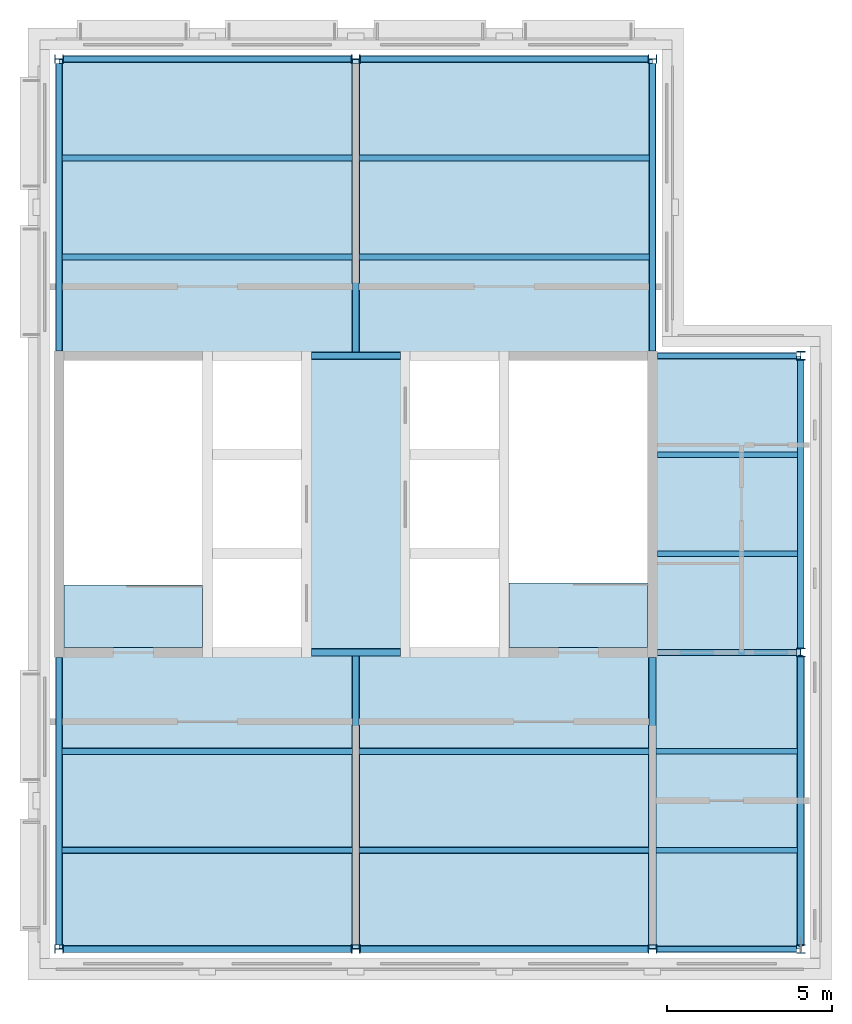
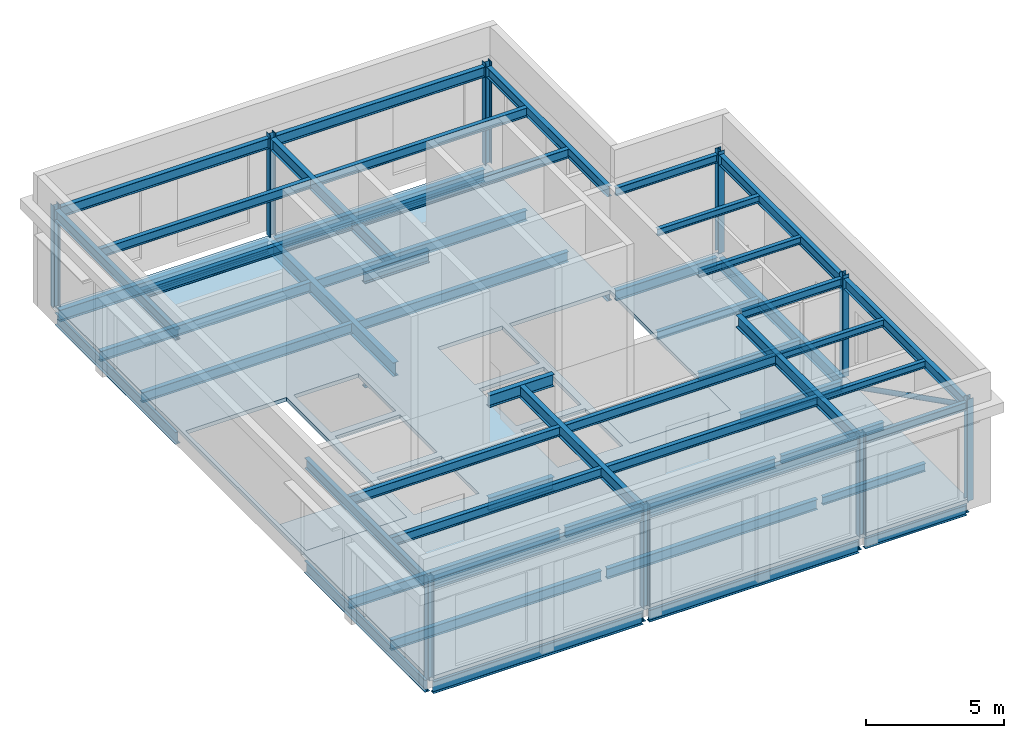
# One storey, part 1 of 4: 58 beams, 9 columns, 3 slabs, 1 member.
"""IFC4 building model written with IfcOpenShell, lengths in metres."""

from ifc_helpers import new_model, si_unit, direction, frame, origin, origin_2d, place, context, subcontext, project, spatial, polyline, hollow_circle, i_section, outline, extrude, material, layer, layer_set, material_profile, profile_set, type_object, element, save


model = new_model("IFC4")

# Units and contexts
model_context = context("Model", 3, precision=1e-05, world=origin(), true_north=direction((0.0, 1.0)))
body_context = subcontext(model_context, "Body", "Model", "MODEL_VIEW")
ifc_project = project(units=[si_unit("LENGTHUNIT", "METRE"), si_unit("AREAUNIT", "SQUARE_METRE"), si_unit("VOLUMEUNIT", "CUBIC_METRE"), si_unit("PLANEANGLEUNIT", "RADIAN"), si_unit("MASSUNIT", "GRAM", prefix="KILO")], contexts=[model_context])

# Site, building, storey
site_placement = place(None, origin())
site = spatial("IfcSite", under=ifc_project, at=site_placement, CompositionType="ELEMENT")
building_placement = place(site_placement, origin())
building = spatial("IfcBuilding", under=site, at=building_placement, Name="Hortulan Conservatory and Botanical Research Centre", CompositionType="ELEMENT")
storey_placement = place(building_placement, frame((0.0, 0.0, 69.89990234375)))
storey = spatial("IfcBuildingStorey", under=building, at=storey_placement, Name="L16", CompositionType="ELEMENT", Elevation=69.89990234375)

# Columns
ifc_material_1 = material(Name="Steel Grade 300PLUS (AS/NZS 3679.1, 280 MPa minimum yield)", Category="steel")
ifc_material_profile_1 = material_profile(ifc_material_1, i_section(OverallWidth=0.256103515625, OverallDepth=0.260009765625, WebThickness=0.010498046875, FlangeThickness=0.017333984375, FilletRadius=0.013916015625, at=origin_2d()), Name="250UC89.5")
ifc_profile_set_1 = profile_set([ifc_material_profile_1], Name="Steel Grade 300PLUS (AS/NZS 3679.1, 280 MPa minimum yield)")
column_type = type_object("IfcColumnType", Name="Tower Column 250UC89.5", PredefinedType="COLUMN", material=ifc_profile_set_1)
for number, where, z_axis, x_axis, name in (
    (1, (9.0, 0.0, 0.0), (0.0, 0.0, 1.0), (0.0, 1.0, 0.0), "250UC89.5 column"),
    (2, (9.0, 27.0, 0.0), (0.0, 0.0, 1.0), (0.0, 1.0, 0.0), "250UC89.5 column"),
    (3, (18.0, 0.0, 0.0), (0.0, 0.0, 1.0), (0.0, 1.0, 0.0), "250UC89.5 column"),
    (4, (18.0, 27.0, 0.0), (0.0, 0.0, 1.0), (0.0, 1.0, 0.0), "250UC89.5 column"),
    (5, (27.0, 0.0, 0.0), (0.0, 0.0, 1.0), (0.0, 1.0, 0.0), "250UC89.5 column"),
    (6, (27.0, 27.0, 0.0), (0.0, 0.0, 1.0), (0.0, 1.0, 0.0), "250UC89.5 column"),
    (7, (31.5, 0.0, 0.0), (0.0, 0.0, 1.0), (1.0, 0.0, 0.0), "250UC89.5 column"),
    (8, (31.5, 9.0, 0.0), (0.0, 0.0, 1.0), (1.0, 0.0, 0.0), "250UC89.5 column"),
    (9, (31.5, 18.0, 0.0), (0.0, 0.0, 1.0), (1.0, 0.0, 0.0), "250UC89.5 column"),
):
    element("IfcColumn", number, at=place(storey_placement, frame(where, z_axis=z_axis, x_axis=x_axis)), inside=storey, type_object=column_type, Name=name, PredefinedType="COLUMN", context=body_context, shape_type="SweptSolid", body=[
        extrude(i_section(OverallWidth=0.256103515625, OverallDepth=0.260009765625, WebThickness=0.010498046875, FlangeThickness=0.017333984375, FilletRadius=0.013916015625, at=origin_2d()), origin(), (0.0, 0.0, 1.0), 4.5),
    ])

# Member
ifc_material_2 = material(Name="Steel Grade C350L0 (350 MPa, AS/NZS 1163)", Category="steel")
ifc_material_profile_2 = material_profile(ifc_material_2, hollow_circle(Radius=0.109619140625, WallThickness=0.00830078125, at=origin_2d()), Name="219.1x8.2CHS")
ifc_profile_set_2 = profile_set([ifc_material_profile_2], Name="Steel Grade C350L0 (350 MPa, AS/NZS 1163)")
member_type = type_object("IfcMemberType", Name="Brace 219.1x8.2CHS", PredefinedType="BRACE", material=ifc_profile_set_2)
member_placement = place(storey_placement, frame((31.5, 8.8701171875, -0.37060546875), z_axis=(0.0, -0.892112787809, 0.451812764127), x_axis=(1.0, 0.0, 0.0)))
element("IfcMember", 10, at=member_placement, inside=storey, type_object=member_type, Name="219.1x8.2CHS brace", PredefinedType="BRACE", context=body_context, shape_type="SweptSolid", body=[
    extrude(hollow_circle(Radius=0.109619140625, WallThickness=0.00830078125, at=origin_2d()), origin(), (0.0, 0.0, 1.0), 9.797119140625),
])

# Beams
ifc_material_profile_3 = material_profile(ifc_material_1, i_section(OverallWidth=0.1708984375, OverallDepth=0.35595703125, WebThickness=0.00732421875, FlangeThickness=0.011474609375, FilletRadius=0.011474609375, at=origin_2d()), Name="360UB50.7")
ifc_profile_set_3 = profile_set([ifc_material_profile_3], Name="Steel Grade 300PLUS (AS/NZS 3679.1, 280 MPa minimum yield)")
beam_type_1 = type_object("IfcBeamType", Name="Primary Beam 360UB50.7", PredefinedType="BEAM", material=ifc_profile_set_3)
beam_1_placement = place(storey_placement, frame((27.1298828125, 0.0, 4.172119140625), z_axis=(1.0, 0.0, 0.0), x_axis=(0.0, 1.0, 0.0)))
element("IfcBeam", 11, at=beam_1_placement, inside=storey, type_object=beam_type_1, Name="360UB50.7 girder", PredefinedType="BEAM", context=body_context, shape_type="SweptSolid", body=[
    extrude(i_section(OverallWidth=0.1708984375, OverallDepth=0.35595703125, WebThickness=0.00732421875, FlangeThickness=0.011474609375, FilletRadius=0.011474609375, at=origin_2d()), origin(), (0.0, 0.0, 1.0), 4.2421875),
])
for number, where, z_axis, x_axis, name in (
    (12, (27.14990234375, 9.0, 4.172119140625), (1.0, 0.0, 0.0), (0.0, 1.0, 0.0), "360UB50.7 girder"),
    (13, (27.14990234375, 18.0, 4.172119140625), (1.0, 0.0, 0.0), (0.0, 1.0, 0.0), "360UB50.7 girder"),
):
    element("IfcBeam", number, at=place(storey_placement, frame(where, z_axis=z_axis, x_axis=x_axis)), inside=storey, type_object=beam_type_1, Name=name, PredefinedType="BEAM", context=body_context, shape_type="SweptSolid", body=[
        extrude(i_section(OverallWidth=0.1708984375, OverallDepth=0.35595703125, WebThickness=0.00732421875, FlangeThickness=0.011474609375, FilletRadius=0.011474609375, at=origin_2d()), origin(), (0.0, 0.0, 1.0), 4.22216796875),
    ])
ifc_material_profile_4 = material_profile(ifc_material_1, i_section(OverallWidth=0.18994140625, OverallDepth=0.45703125, WebThickness=0.009033203125, FlangeThickness=0.014404296875, FilletRadius=0.011474609375, at=origin_2d()), Name="460UB74.6")
ifc_profile_set_4 = profile_set([ifc_material_profile_4], Name="Steel Grade 300PLUS (AS/NZS 3679.1, 280 MPa minimum yield)")
beam_type_2 = type_object("IfcBeamType", Name="Primary Beam 460UB74.6", PredefinedType="BEAM", material=ifc_profile_set_4)
beam_2_placement = place(storey_placement, frame((27.1298828125, 0.0, -0.3984375), z_axis=(1.0, 0.0, 0.0), x_axis=(0.0, 1.0, 0.0)))
element("IfcBeam", 14, at=beam_2_placement, inside=storey, type_object=beam_type_2, Name="460UB74.6 girder", PredefinedType="BEAM", context=body_context, shape_type="SweptSolid", body=[
    extrude(i_section(OverallWidth=0.18994140625, OverallDepth=0.45703125, WebThickness=0.009033203125, FlangeThickness=0.014404296875, FilletRadius=0.011474609375, at=origin_2d()), origin(), (0.0, 0.0, 1.0), 4.2421875),
])
for number, where, z_axis, x_axis, name in (
    (15, (27.14990234375, 9.0, -0.3984375), (1.0, 0.0, 0.0), (0.0, 1.0, 0.0), "460UB74.6 girder"),
    (16, (27.14990234375, 18.0, -0.3984375), (1.0, 0.0, 0.0), (0.0, 1.0, 0.0), "460UB74.6 girder"),
):
    element("IfcBeam", number, at=place(storey_placement, frame(where, z_axis=z_axis, x_axis=x_axis)), inside=storey, type_object=beam_type_2, Name=name, PredefinedType="BEAM", context=body_context, shape_type="SweptSolid", body=[
        extrude(i_section(OverallWidth=0.18994140625, OverallDepth=0.45703125, WebThickness=0.009033203125, FlangeThickness=0.014404296875, FilletRadius=0.011474609375, at=origin_2d()), origin(), (0.0, 0.0, 1.0), 4.22216796875),
    ])
beam_3_placement = place(storey_placement, frame((9.0, 0.1279296875, 4.12158203125), z_axis=(0.0, 1.0, 0.0), x_axis=(-1.0, 0.0, 0.0)))
element("IfcBeam", 17, at=beam_3_placement, inside=storey, type_object=beam_type_2, Name="460UB74.6 girder", PredefinedType="BEAM", context=body_context, shape_type="SweptSolid", body=[
    extrude(i_section(OverallWidth=0.18994140625, OverallDepth=0.45703125, WebThickness=0.009033203125, FlangeThickness=0.014404296875, FilletRadius=0.011474609375, at=origin_2d()), origin(), (0.0, 0.0, 1.0), 8.72216796875),
])
beam_4_placement = place(storey_placement, frame((9.1298828125, 0.0, 4.12158203125), z_axis=(1.0, 0.0, 0.0), x_axis=(0.0, 1.0, 0.0)))
element("IfcBeam", 18, at=beam_4_placement, inside=storey, type_object=beam_type_2, Name="460UB74.6 girder", PredefinedType="BEAM", context=body_context, shape_type="SweptSolid", body=[
    extrude(i_section(OverallWidth=0.18994140625, OverallDepth=0.45703125, WebThickness=0.009033203125, FlangeThickness=0.014404296875, FilletRadius=0.011474609375, at=origin_2d()), origin(), (0.0, 0.0, 1.0), 8.740234375),
])
beam_5_placement = place(storey_placement, frame((9.0, 18.14990234375, 4.12158203125), z_axis=(0.0, 1.0, 0.0), x_axis=(-1.0, 0.0, 0.0)))
element("IfcBeam", 19, at=beam_5_placement, inside=storey, type_object=beam_type_2, Name="460UB74.6 girder", PredefinedType="BEAM", context=body_context, shape_type="SweptSolid", body=[
    extrude(i_section(OverallWidth=0.18994140625, OverallDepth=0.45703125, WebThickness=0.009033203125, FlangeThickness=0.014404296875, FilletRadius=0.011474609375, at=origin_2d()), origin(), (0.0, 0.0, 1.0), 8.72216796875),
])
for number, where, z_axis, x_axis, name in (
    (20, (9.1298828125, 27.0, 4.12158203125), (1.0, 0.0, 0.0), (0.0, 1.0, 0.0), "460UB74.6 girder"),
    (21, (18.1298828125, 0.0, 4.12158203125), (1.0, 0.0, 0.0), (0.0, 1.0, 0.0), "460UB74.6 girder"),
    (22, (18.1298828125, 27.0, 4.12158203125), (1.0, 0.0, 0.0), (0.0, 1.0, 0.0), "460UB74.6 girder"),
):
    element("IfcBeam", number, at=place(storey_placement, frame(where, z_axis=z_axis, x_axis=x_axis)), inside=storey, type_object=beam_type_2, Name=name, PredefinedType="BEAM", context=body_context, shape_type="SweptSolid", body=[
        extrude(i_section(OverallWidth=0.18994140625, OverallDepth=0.45703125, WebThickness=0.009033203125, FlangeThickness=0.014404296875, FilletRadius=0.011474609375, at=origin_2d()), origin(), (0.0, 0.0, 1.0), 8.740234375),
    ])
beam_6_placement = place(storey_placement, frame((27.0, 18.14990234375, 4.12158203125), z_axis=(0.0, 1.0, 0.0), x_axis=(-1.0, 0.0, 0.0)))
element("IfcBeam", 23, at=beam_6_placement, inside=storey, type_object=beam_type_2, Name="460UB74.6 girder", PredefinedType="BEAM", context=body_context, shape_type="SweptSolid", body=[
    extrude(i_section(OverallWidth=0.18994140625, OverallDepth=0.45703125, WebThickness=0.009033203125, FlangeThickness=0.014404296875, FilletRadius=0.011474609375, at=origin_2d()), origin(), (0.0, 0.0, 1.0), 8.72216796875),
])
for number, where, z_axis, x_axis, name in (
    (24, (31.5, 0.1298828125, 4.12158203125), (0.0, 1.0, 0.0), (-1.0, 0.0, 0.0), "460UB74.6 girder"),
    (25, (31.5, 9.1298828125, 4.12158203125), (0.0, 1.0, 0.0), (-1.0, 0.0, 0.0), "460UB74.6 girder"),
):
    element("IfcBeam", number, at=place(storey_placement, frame(where, z_axis=z_axis, x_axis=x_axis)), inside=storey, type_object=beam_type_2, Name=name, PredefinedType="BEAM", context=body_context, shape_type="SweptSolid", body=[
        extrude(i_section(OverallWidth=0.18994140625, OverallDepth=0.45703125, WebThickness=0.009033203125, FlangeThickness=0.014404296875, FilletRadius=0.011474609375, at=origin_2d()), origin(), (0.0, 0.0, 1.0), 8.740234375),
    ])
ifc_material_profile_5 = material_profile(ifc_material_1, i_section(OverallWidth=0.208984375, OverallDepth=0.528076171875, WebThickness=0.009521484375, FlangeThickness=0.01318359375, FilletRadius=0.013916015625, at=origin_2d()), Name="530UB82.0")
ifc_profile_set_5 = profile_set([ifc_material_profile_5], Name="Steel Grade 300PLUS (AS/NZS 3679.1, 280 MPa minimum yield)")
beam_type_3 = type_object("IfcBeamType", Name="Primary Beam 530UB82.0", PredefinedType="BEAM", material=ifc_profile_set_5)
for number, where, z_axis, x_axis, name in (
    (26, (16.64990234375, 9.0, 4.086181640625), (1.0, 0.0, 0.0), (0.0, 1.0, 0.0), "530UB82.0 girder"),
    (27, (16.64990234375, 18.0, 4.086181640625), (1.0, 0.0, 0.0), (0.0, 1.0, 0.0), "530UB82.0 girder"),
):
    element("IfcBeam", number, at=place(storey_placement, frame(where, z_axis=z_axis, x_axis=x_axis)), inside=storey, type_object=beam_type_3, Name=name, PredefinedType="BEAM", context=body_context, shape_type="SweptSolid", body=[
        extrude(i_section(OverallWidth=0.208984375, OverallDepth=0.528076171875, WebThickness=0.009521484375, FlangeThickness=0.01318359375, FilletRadius=0.013916015625, at=origin_2d()), origin(), (0.0, 0.0, 1.0), 2.7001953125),
    ])
for number, where, z_axis, x_axis, name in (
    (28, (18.0, 0.1279296875, 4.086181640625), (0.0, 1.0, 0.0), (-1.0, 0.0, 0.0), "530UB82.0 girder"),
    (29, (18.0, 18.0, 4.086181640625), (0.0, 1.0, 0.0), (-1.0, 0.0, 0.0), "530UB82.0 girder"),
):
    element("IfcBeam", number, at=place(storey_placement, frame(where, z_axis=z_axis, x_axis=x_axis)), inside=storey, type_object=beam_type_3, Name=name, PredefinedType="BEAM", context=body_context, shape_type="SweptSolid", body=[
        extrude(i_section(OverallWidth=0.208984375, OverallDepth=0.528076171875, WebThickness=0.009521484375, FlangeThickness=0.01318359375, FilletRadius=0.013916015625, at=origin_2d()), origin(), (0.0, 0.0, 1.0), 8.8720703125),
    ])
beam_7_placement = place(storey_placement, frame((27.0, 0.1279296875, 4.086181640625), z_axis=(0.0, 1.0, 0.0), x_axis=(-1.0, 0.0, 0.0)))
element("IfcBeam", 30, at=beam_7_placement, inside=storey, type_object=beam_type_3, Name="530UB82.0 girder", PredefinedType="BEAM", context=body_context, shape_type="SweptSolid", body=[
    extrude(i_section(OverallWidth=0.208984375, OverallDepth=0.528076171875, WebThickness=0.009521484375, FlangeThickness=0.01318359375, FilletRadius=0.013916015625, at=origin_2d()), origin(), (0.0, 0.0, 1.0), 8.72216796875),
])
ifc_material_profile_6 = material_profile(ifc_material_1, i_section(OverallWidth=0.208984375, OverallDepth=0.532958984375, WebThickness=0.01025390625, FlangeThickness=0.015625, FilletRadius=0.013916015625, at=origin_2d()), Name="530UB92.4")
ifc_profile_set_6 = profile_set([ifc_material_profile_6], Name="Steel Grade 300PLUS (AS/NZS 3679.1, 280 MPa minimum yield)")
beam_type_4 = type_object("IfcBeamType", Name="Primary Beam 530UB92.4", PredefinedType="BEAM", material=ifc_profile_set_6)
beam_8_placement = place(storey_placement, frame((9.0, 0.1279296875, -0.4365234375), z_axis=(0.0, 1.0, 0.0), x_axis=(-1.0, 0.0, 0.0)))
element("IfcBeam", 31, at=beam_8_placement, inside=storey, type_object=beam_type_4, Name="530UB92.4 girder", PredefinedType="BEAM", context=body_context, shape_type="SweptSolid", body=[
    extrude(i_section(OverallWidth=0.208984375, OverallDepth=0.532958984375, WebThickness=0.01025390625, FlangeThickness=0.015625, FilletRadius=0.013916015625, at=origin_2d()), origin(), (0.0, 0.0, 1.0), 8.72216796875),
])
beam_9_placement = place(storey_placement, frame((9.1298828125, 0.0, -0.4365234375), z_axis=(1.0, 0.0, 0.0), x_axis=(0.0, 1.0, 0.0)))
element("IfcBeam", 32, at=beam_9_placement, inside=storey, type_object=beam_type_4, Name="530UB92.4 girder", PredefinedType="BEAM", context=body_context, shape_type="SweptSolid", body=[
    extrude(i_section(OverallWidth=0.208984375, OverallDepth=0.532958984375, WebThickness=0.01025390625, FlangeThickness=0.015625, FilletRadius=0.013916015625, at=origin_2d()), origin(), (0.0, 0.0, 1.0), 8.740234375),
])
beam_10_placement = place(storey_placement, frame((9.0, 18.14990234375, -0.4365234375), z_axis=(0.0, 1.0, 0.0), x_axis=(-1.0, 0.0, 0.0)))
element("IfcBeam", 33, at=beam_10_placement, inside=storey, type_object=beam_type_4, Name="530UB92.4 girder", PredefinedType="BEAM", context=body_context, shape_type="SweptSolid", body=[
    extrude(i_section(OverallWidth=0.208984375, OverallDepth=0.532958984375, WebThickness=0.01025390625, FlangeThickness=0.015625, FilletRadius=0.013916015625, at=origin_2d()), origin(), (0.0, 0.0, 1.0), 8.72216796875),
])
for number, where, z_axis, x_axis, name in (
    (34, (9.1298828125, 27.0, -0.4365234375), (1.0, 0.0, 0.0), (0.0, 1.0, 0.0), "530UB92.4 girder"),
    (35, (18.1298828125, 0.0, -0.4365234375), (1.0, 0.0, 0.0), (0.0, 1.0, 0.0), "530UB92.4 girder"),
    (36, (18.1298828125, 27.0, -0.4365234375), (1.0, 0.0, 0.0), (0.0, 1.0, 0.0), "530UB92.4 girder"),
):
    element("IfcBeam", number, at=place(storey_placement, frame(where, z_axis=z_axis, x_axis=x_axis)), inside=storey, type_object=beam_type_4, Name=name, PredefinedType="BEAM", context=body_context, shape_type="SweptSolid", body=[
        extrude(i_section(OverallWidth=0.208984375, OverallDepth=0.532958984375, WebThickness=0.01025390625, FlangeThickness=0.015625, FilletRadius=0.013916015625, at=origin_2d()), origin(), (0.0, 0.0, 1.0), 8.740234375),
    ])
beam_11_placement = place(storey_placement, frame((27.0, 18.14990234375, -0.4365234375), z_axis=(0.0, 1.0, 0.0), x_axis=(-1.0, 0.0, 0.0)))
element("IfcBeam", 37, at=beam_11_placement, inside=storey, type_object=beam_type_4, Name="530UB92.4 girder", PredefinedType="BEAM", context=body_context, shape_type="SweptSolid", body=[
    extrude(i_section(OverallWidth=0.208984375, OverallDepth=0.532958984375, WebThickness=0.01025390625, FlangeThickness=0.015625, FilletRadius=0.013916015625, at=origin_2d()), origin(), (0.0, 0.0, 1.0), 8.72216796875),
])
for number, where, z_axis, x_axis, name in (
    (38, (31.5, 0.1298828125, -0.4365234375), (0.0, 1.0, 0.0), (-1.0, 0.0, 0.0), "530UB92.4 girder"),
    (39, (31.5, 9.1298828125, -0.4365234375), (0.0, 1.0, 0.0), (-1.0, 0.0, 0.0), "530UB92.4 girder"),
):
    element("IfcBeam", number, at=place(storey_placement, frame(where, z_axis=z_axis, x_axis=x_axis)), inside=storey, type_object=beam_type_4, Name=name, PredefinedType="BEAM", context=body_context, shape_type="SweptSolid", body=[
        extrude(i_section(OverallWidth=0.208984375, OverallDepth=0.532958984375, WebThickness=0.01025390625, FlangeThickness=0.015625, FilletRadius=0.013916015625, at=origin_2d()), origin(), (0.0, 0.0, 1.0), 8.740234375),
    ])
ifc_material_profile_7 = material_profile(ifc_material_1, i_section(OverallWidth=0.22802734375, OverallDepth=0.60693359375, WebThickness=0.01123046875, FlangeThickness=0.017333984375, FilletRadius=0.013916015625, at=origin_2d()), Name="610UB113")
ifc_profile_set_7 = profile_set([ifc_material_profile_7], Name="Steel Grade 300PLUS (AS/NZS 3679.1, 280 MPa minimum yield)")
beam_type_5 = type_object("IfcBeamType", Name="Primary Beam 610UB113", PredefinedType="BEAM", material=ifc_profile_set_7)
for number, where, z_axis, x_axis, name in (
    (40, (16.64990234375, 9.0, -0.473388671875), (1.0, 0.0, 0.0), (0.0, 1.0, 0.0), "610UB113 girder"),
    (41, (16.64990234375, 18.0, -0.473388671875), (1.0, 0.0, 0.0), (0.0, 1.0, 0.0), "610UB113 girder"),
):
    element("IfcBeam", number, at=place(storey_placement, frame(where, z_axis=z_axis, x_axis=x_axis)), inside=storey, type_object=beam_type_5, Name=name, PredefinedType="BEAM", context=body_context, shape_type="SweptSolid", body=[
        extrude(i_section(OverallWidth=0.22802734375, OverallDepth=0.60693359375, WebThickness=0.01123046875, FlangeThickness=0.017333984375, FilletRadius=0.013916015625, at=origin_2d()), origin(), (0.0, 0.0, 1.0), 2.7001953125),
    ])
for number, where, z_axis, x_axis, name in (
    (42, (18.0, 0.1279296875, -0.473388671875), (0.0, 1.0, 0.0), (-1.0, 0.0, 0.0), "610UB113 girder"),
    (43, (18.0, 18.0, -0.473388671875), (0.0, 1.0, 0.0), (-1.0, 0.0, 0.0), "610UB113 girder"),
):
    element("IfcBeam", number, at=place(storey_placement, frame(where, z_axis=z_axis, x_axis=x_axis)), inside=storey, type_object=beam_type_5, Name=name, PredefinedType="BEAM", context=body_context, shape_type="SweptSolid", body=[
        extrude(i_section(OverallWidth=0.22802734375, OverallDepth=0.60693359375, WebThickness=0.01123046875, FlangeThickness=0.017333984375, FilletRadius=0.013916015625, at=origin_2d()), origin(), (0.0, 0.0, 1.0), 8.8720703125),
    ])
beam_12_placement = place(storey_placement, frame((27.0, 0.1279296875, -0.473388671875), z_axis=(0.0, 1.0, 0.0), x_axis=(-1.0, 0.0, 0.0)))
element("IfcBeam", 44, at=beam_12_placement, inside=storey, type_object=beam_type_5, Name="610UB113 girder", PredefinedType="BEAM", context=body_context, shape_type="SweptSolid", body=[
    extrude(i_section(OverallWidth=0.22802734375, OverallDepth=0.60693359375, WebThickness=0.01123046875, FlangeThickness=0.017333984375, FilletRadius=0.013916015625, at=origin_2d()), origin(), (0.0, 0.0, 1.0), 8.72216796875),
])
ifc_material_profile_8 = material_profile(ifc_material_1, i_section(OverallWidth=0.1650390625, OverallDepth=0.303955078125, WebThickness=0.006103515625, FlangeThickness=0.01025390625, FilletRadius=0.011474609375, at=origin_2d()), Name="310UB40.4")
ifc_profile_set_8 = profile_set([ifc_material_profile_8], Name="Steel Grade 300PLUS (AS/NZS 3679.1, 280 MPa minimum yield)")
beam_type_6 = type_object("IfcBeamType", Name="Secondary Beam 310UB40.4", PredefinedType="JOIST", material=ifc_profile_set_8)
for number, where, z_axis, x_axis, name in (
    (45, (27.1044921875, 3.0, 4.197998046875), (1.0, 0.0, 0.0), (0.0, 1.0, 0.0), "310UB40.4 secondary beam"),
    (46, (27.1044921875, 6.0, 4.197998046875), (1.0, 0.0, 0.0), (0.0, 1.0, 0.0), "310UB40.4 secondary beam"),
):
    element("IfcBeam", number, at=place(storey_placement, frame(where, z_axis=z_axis, x_axis=x_axis)), inside=storey, type_object=beam_type_6, Name=name, PredefinedType="JOIST", context=body_context, shape_type="SweptSolid", body=[
        extrude(i_section(OverallWidth=0.1650390625, OverallDepth=0.303955078125, WebThickness=0.006103515625, FlangeThickness=0.01025390625, FilletRadius=0.011474609375, at=origin_2d()), origin(), (0.0, 0.0, 1.0), 4.300537109375),
    ])
for number, where, z_axis, x_axis, name in (
    (47, (27.14990234375, 12.0, 4.197998046875), (1.0, 0.0, 0.0), (0.0, 1.0, 0.0), "310UB40.4 secondary beam"),
    (48, (27.14990234375, 15.0, 4.197998046875), (1.0, 0.0, 0.0), (0.0, 1.0, 0.0), "310UB40.4 secondary beam"),
):
    element("IfcBeam", number, at=place(storey_placement, frame(where, z_axis=z_axis, x_axis=x_axis)), inside=storey, type_object=beam_type_6, Name=name, PredefinedType="JOIST", context=body_context, shape_type="SweptSolid", body=[
        extrude(i_section(OverallWidth=0.1650390625, OverallDepth=0.303955078125, WebThickness=0.006103515625, FlangeThickness=0.01025390625, FilletRadius=0.011474609375, at=origin_2d()), origin(), (0.0, 0.0, 1.0), 4.255126953125),
    ])
ifc_material_profile_9 = material_profile(ifc_material_1, i_section(OverallWidth=0.1708984375, OverallDepth=0.35205078125, WebThickness=0.0068359375, FlangeThickness=0.009765625, FilletRadius=0.011474609375, at=origin_2d()), Name="360UB44.7")
ifc_profile_set_9 = profile_set([ifc_material_profile_9], Name="Steel Grade 300PLUS (AS/NZS 3679.1, 280 MPa minimum yield)")
beam_type_7 = type_object("IfcBeamType", Name="Secondary Beam 360UB44.7", PredefinedType="JOIST", material=ifc_profile_set_9)
for number, where, z_axis, x_axis, name in (
    (49, (27.114013671875, 3.0, -0.345947265625), (1.0, 0.0, 0.0), (0.0, 1.0, 0.0), "360UB44.7 secondary beam"),
    (50, (27.114013671875, 6.0, -0.345947265625), (1.0, 0.0, 0.0), (0.0, 1.0, 0.0), "360UB44.7 secondary beam"),
):
    element("IfcBeam", number, at=place(storey_placement, frame(where, z_axis=z_axis, x_axis=x_axis)), inside=storey, type_object=beam_type_7, Name=name, PredefinedType="JOIST", context=body_context, shape_type="SweptSolid", body=[
        extrude(i_section(OverallWidth=0.1708984375, OverallDepth=0.35205078125, WebThickness=0.0068359375, FlangeThickness=0.009765625, FilletRadius=0.011474609375, at=origin_2d()), origin(), (0.0, 0.0, 1.0), 4.281494140625),
    ])
for number, where, z_axis, x_axis, name in (
    (51, (27.14990234375, 12.0, -0.345947265625), (1.0, 0.0, 0.0), (0.0, 1.0, 0.0), "360UB44.7 secondary beam"),
    (52, (27.14990234375, 15.0, -0.345947265625), (1.0, 0.0, 0.0), (0.0, 1.0, 0.0), "360UB44.7 secondary beam"),
):
    element("IfcBeam", number, at=place(storey_placement, frame(where, z_axis=z_axis, x_axis=x_axis)), inside=storey, type_object=beam_type_7, Name=name, PredefinedType="JOIST", context=body_context, shape_type="SweptSolid", body=[
        extrude(i_section(OverallWidth=0.1708984375, OverallDepth=0.35205078125, WebThickness=0.0068359375, FlangeThickness=0.009765625, FilletRadius=0.011474609375, at=origin_2d()), origin(), (0.0, 0.0, 1.0), 4.24560546875),
    ])
ifc_material_profile_10 = material_profile(ifc_material_1, i_section(OverallWidth=0.177978515625, OverallDepth=0.403076171875, WebThickness=0.007568359375, FlangeThickness=0.010986328125, FilletRadius=0.011474609375, at=origin_2d()), Name="410UB53.7")
ifc_profile_set_10 = profile_set([ifc_material_profile_10], Name="Steel Grade 300PLUS (AS/NZS 3679.1, 280 MPa minimum yield)")
beam_type_8 = type_object("IfcBeamType", Name="Secondary Beam 410UB53.7", PredefinedType="JOIST", material=ifc_profile_set_10)
for number, where, z_axis, x_axis, name in (
    (53, (9.094970703125, 3.0, 4.148681640625), (1.0, 0.0, 0.0), (0.0, 1.0, 0.0), "410UB53.7 secondary beam"),
    (54, (9.094970703125, 6.0, 4.148681640625), (1.0, 0.0, 0.0), (0.0, 1.0, 0.0), "410UB53.7 secondary beam"),
    (55, (9.094970703125, 21.0, 4.148681640625), (1.0, 0.0, 0.0), (0.0, 1.0, 0.0), "410UB53.7 secondary beam"),
    (56, (9.094970703125, 24.0, 4.148681640625), (1.0, 0.0, 0.0), (0.0, 1.0, 0.0), "410UB53.7 secondary beam"),
):
    element("IfcBeam", number, at=place(storey_placement, frame(where, z_axis=z_axis, x_axis=x_axis)), inside=storey, type_object=beam_type_8, Name=name, PredefinedType="JOIST", context=body_context, shape_type="SweptSolid", body=[
        extrude(i_section(OverallWidth=0.177978515625, OverallDepth=0.403076171875, WebThickness=0.007568359375, FlangeThickness=0.010986328125, FilletRadius=0.011474609375, at=origin_2d()), origin(), (0.0, 0.0, 1.0), 8.800537109375),
    ])
for number, where, z_axis, x_axis, name in (
    (57, (18.1044921875, 3.0, 4.148681640625), (1.0, 0.0, 0.0), (0.0, 1.0, 0.0), "410UB53.7 secondary beam"),
    (58, (18.1044921875, 6.0, 4.148681640625), (1.0, 0.0, 0.0), (0.0, 1.0, 0.0), "410UB53.7 secondary beam"),
):
    element("IfcBeam", number, at=place(storey_placement, frame(where, z_axis=z_axis, x_axis=x_axis)), inside=storey, type_object=beam_type_8, Name=name, PredefinedType="JOIST", context=body_context, shape_type="SweptSolid", body=[
        extrude(i_section(OverallWidth=0.177978515625, OverallDepth=0.403076171875, WebThickness=0.007568359375, FlangeThickness=0.010986328125, FilletRadius=0.011474609375, at=origin_2d()), origin(), (0.0, 0.0, 1.0), 8.791015625),
    ])
for number, where, z_axis, x_axis, name in (
    (59, (18.1044921875, 21.0, 4.148681640625), (1.0, 0.0, 0.0), (0.0, 1.0, 0.0), "410UB53.7 secondary beam"),
    (60, (18.1044921875, 24.0, 4.148681640625), (1.0, 0.0, 0.0), (0.0, 1.0, 0.0), "410UB53.7 secondary beam"),
):
    element("IfcBeam", number, at=place(storey_placement, frame(where, z_axis=z_axis, x_axis=x_axis)), inside=storey, type_object=beam_type_8, Name=name, PredefinedType="JOIST", context=body_context, shape_type="SweptSolid", body=[
        extrude(i_section(OverallWidth=0.177978515625, OverallDepth=0.403076171875, WebThickness=0.007568359375, FlangeThickness=0.010986328125, FilletRadius=0.011474609375, at=origin_2d()), origin(), (0.0, 0.0, 1.0), 8.800537109375),
    ])
ifc_material_profile_11 = material_profile(ifc_material_1, i_section(OverallWidth=0.18994140625, OverallDepth=0.4541015625, WebThickness=0.008544921875, FlangeThickness=0.0126953125, FilletRadius=0.011474609375, at=origin_2d()), Name="460UB67.1")
ifc_profile_set_11 = profile_set([ifc_material_profile_11], Name="Steel Grade 300PLUS (AS/NZS 3679.1, 280 MPa minimum yield)")
beam_type_9 = type_object("IfcBeamType", Name="Secondary Beam 460UB67.1", PredefinedType="JOIST", material=ifc_profile_set_11)
for number, where, z_axis, x_axis, name in (
    (61, (9.1044921875, 3.0, -0.39697265625), (1.0, 0.0, 0.0), (0.0, 1.0, 0.0), "460UB67.1 secondary beam"),
    (62, (9.1044921875, 6.0, -0.39697265625), (1.0, 0.0, 0.0), (0.0, 1.0, 0.0), "460UB67.1 secondary beam"),
    (63, (9.1044921875, 21.0, -0.39697265625), (1.0, 0.0, 0.0), (0.0, 1.0, 0.0), "460UB67.1 secondary beam"),
    (64, (9.1044921875, 24.0, -0.39697265625), (1.0, 0.0, 0.0), (0.0, 1.0, 0.0), "460UB67.1 secondary beam"),
):
    element("IfcBeam", number, at=place(storey_placement, frame(where, z_axis=z_axis, x_axis=x_axis)), inside=storey, type_object=beam_type_9, Name=name, PredefinedType="JOIST", context=body_context, shape_type="SweptSolid", body=[
        extrude(i_section(OverallWidth=0.18994140625, OverallDepth=0.4541015625, WebThickness=0.008544921875, FlangeThickness=0.0126953125, FilletRadius=0.011474609375, at=origin_2d()), origin(), (0.0, 0.0, 1.0), 8.781494140625),
    ])
for number, where, z_axis, x_axis, name in (
    (65, (18.114013671875, 3.0, -0.39697265625), (1.0, 0.0, 0.0), (0.0, 1.0, 0.0), "460UB67.1 secondary beam"),
    (66, (18.114013671875, 6.0, -0.39697265625), (1.0, 0.0, 0.0), (0.0, 1.0, 0.0), "460UB67.1 secondary beam"),
):
    element("IfcBeam", number, at=place(storey_placement, frame(where, z_axis=z_axis, x_axis=x_axis)), inside=storey, type_object=beam_type_9, Name=name, PredefinedType="JOIST", context=body_context, shape_type="SweptSolid", body=[
        extrude(i_section(OverallWidth=0.18994140625, OverallDepth=0.4541015625, WebThickness=0.008544921875, FlangeThickness=0.0126953125, FilletRadius=0.011474609375, at=origin_2d()), origin(), (0.0, 0.0, 1.0), 8.77197265625),
    ])
for number, where, z_axis, x_axis, name in (
    (67, (18.114013671875, 21.0, -0.39697265625), (1.0, 0.0, 0.0), (0.0, 1.0, 0.0), "460UB67.1 secondary beam"),
    (68, (18.114013671875, 24.0, -0.39697265625), (1.0, 0.0, 0.0), (0.0, 1.0, 0.0), "460UB67.1 secondary beam"),
):
    element("IfcBeam", number, at=place(storey_placement, frame(where, z_axis=z_axis, x_axis=x_axis)), inside=storey, type_object=beam_type_9, Name=name, PredefinedType="JOIST", context=body_context, shape_type="SweptSolid", body=[
        extrude(i_section(OverallWidth=0.18994140625, OverallDepth=0.4541015625, WebThickness=0.008544921875, FlangeThickness=0.0126953125, FilletRadius=0.011474609375, at=origin_2d()), origin(), (0.0, 0.0, 1.0), 8.781494140625),
    ])

# Slabs
ifc_material_3 = material(Name="Concrete N40 (40 MPa, AS 3600)", Category="concrete")
ifc_layer_1 = layer(ifc_material_3, 0.169921875)
ifc_layer_set_1 = layer_set([ifc_layer_1], Name="Composite Floor Slab 170")
slab_type_1 = type_object("IfcSlabType", Name="Composite Floor Slab 170", PredefinedType="FLOOR", material=ifc_layer_set_1)
slab_1_placement = place(storey_placement, frame((0.0, 0.0, -0.169921875)))
element("IfcSlab", 69, at=slab_1_placement, inside=storey, type_object=slab_type_1, Name="Floor slab", PredefinedType="FLOOR", context=body_context, shape_type="SweptSolid", body=[
    extrude(outline(polyline([(9.0, 0.0), (31.5, 0.0), (31.5, 18.0), (27.0, 18.0), (27.0, 27.0), (9.0, 27.0), (9.0, 0.0)]), holes=[polyline([(13.64990234375, 11.85009765625), (13.64990234375, 9.14990234375), (16.35009765625, 9.14990234375), (16.35009765625, 11.85009765625), (13.64990234375, 11.85009765625)]), polyline([(19.64990234375, 11.85009765625), (19.64990234375, 9.14990234375), (22.35009765625, 9.14990234375), (22.35009765625, 11.85009765625), (19.64990234375, 11.85009765625)]), polyline([(9.14990234375, 17.85009765625), (9.14990234375, 9.14990234375), (13.35009765625, 9.14990234375), (13.35009765625, 17.85009765625), (9.14990234375, 17.85009765625)]), polyline([(13.64990234375, 14.85009765625), (13.64990234375, 12.14990234375), (16.35009765625, 12.14990234375), (16.35009765625, 14.85009765625), (13.64990234375, 14.85009765625)]), polyline([(19.64990234375, 14.85009765625), (19.64990234375, 12.14990234375), (22.35009765625, 12.14990234375), (22.35009765625, 14.85009765625), (19.64990234375, 14.85009765625)]), polyline([(22.64990234375, 17.85009765625), (22.64990234375, 9.14990234375), (26.85009765625, 9.14990234375), (26.85009765625, 17.85009765625), (22.64990234375, 17.85009765625)]), polyline([(13.64990234375, 17.85009765625), (13.64990234375, 15.14990234375), (16.35009765625, 15.14990234375), (16.35009765625, 17.85009765625), (13.64990234375, 17.85009765625)]), polyline([(19.64990234375, 17.85009765625), (19.64990234375, 15.14990234375), (22.35009765625, 15.14990234375), (22.35009765625, 17.85009765625), (19.64990234375, 17.85009765625)])]), origin(), (0.0, 0.0, 1.0), 0.169921875),
])
ifc_layer_2 = layer(ifc_material_3, 0.199951171875)
ifc_layer_set_2 = layer_set([ifc_layer_2], Name="Stair Landing 200")
slab_type_2 = type_object("IfcSlabType", Name="Stair Landing 200", PredefinedType="LANDING", material=ifc_layer_set_2)
slab_2_placement = place(storey_placement, frame((0.0, 0.0, -0.199951171875)))
element("IfcSlab", 70, at=slab_2_placement, inside=storey, type_object=slab_type_2, Name="Stair T1 floor landing L16", PredefinedType="LANDING", context=body_context, shape_type="SweptSolid", body=[
    extrude(outline(polyline([(13.35009765625, 9.14990234375), (9.14990234375, 9.14990234375), (9.14990234375, 11.050048828125), (13.35009765625, 11.050048828125), (13.35009765625, 9.14990234375)])), origin(), (0.0, 0.0, 1.0), 0.199951171875),
])
slab_3_placement = place(storey_placement, frame((0.0, 0.0, -0.199951171875)))
element("IfcSlab", 71, at=slab_3_placement, inside=storey, type_object=slab_type_2, Name="Stair T2 floor landing L16", PredefinedType="LANDING", context=body_context, shape_type="SweptSolid", body=[
    extrude(outline(polyline([(26.85009765625, 9.14990234375), (22.64990234375, 9.14990234375), (22.64990234375, 11.10009765625), (26.85009765625, 11.10009765625), (26.85009765625, 9.14990234375)])), origin(), (0.0, 0.0, 1.0), 0.199951171875),
])

save(model, "model.ifc")
